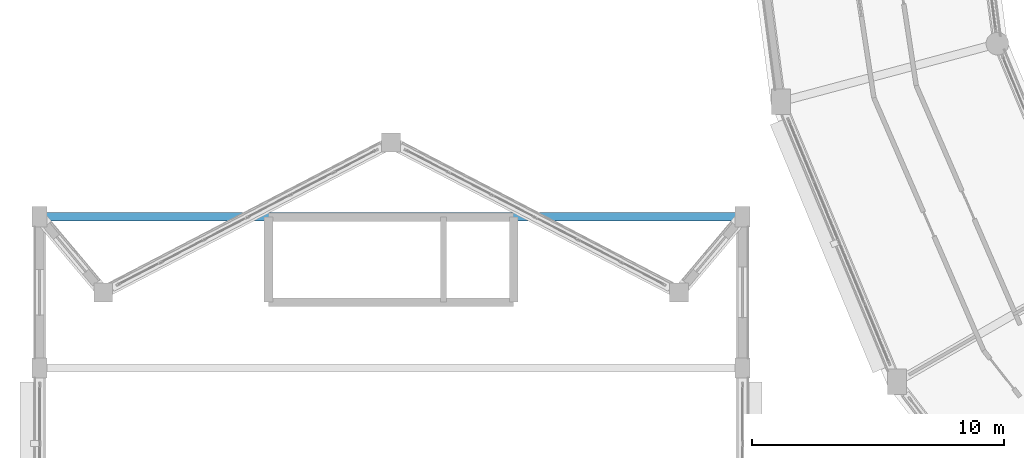
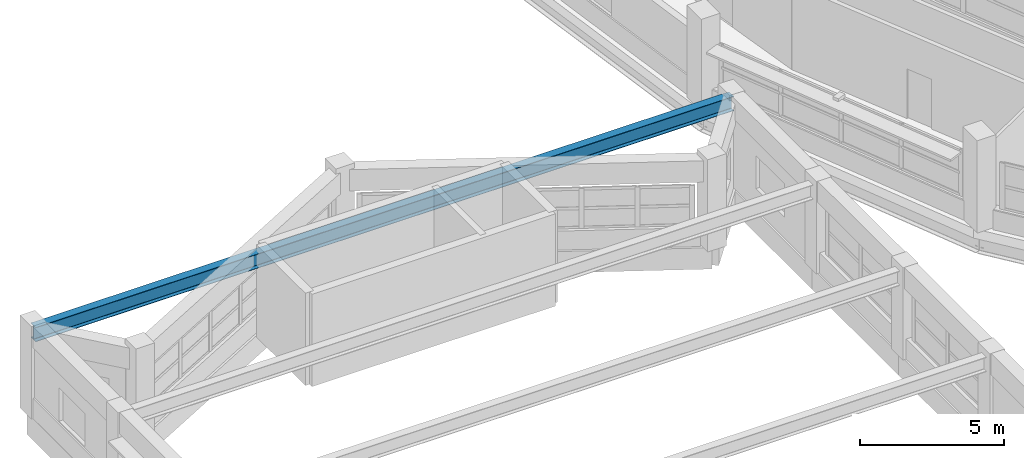
# One storey, part 23 of 108: 1 beam.
"""IFC4 building model written with IfcOpenShell, lengths in metres."""

from ifc_helpers import new_model, si_unit, direction, frame, origin, origin_2d, place, context, subcontext, project, spatial, i_section, extrude, material, material_profile, profile_set, type_object, element, save


model = new_model("IFC4")

# Units and contexts
model_context = context("Model", 3, precision=1e-05, world=origin(), true_north=direction((0.0, 1.0)))
body_context = subcontext(model_context, "Body", "Model", "MODEL_VIEW")
ifc_project = project(units=[si_unit("LENGTHUNIT", "METRE"), si_unit("AREAUNIT", "SQUARE_METRE"), si_unit("VOLUMEUNIT", "CUBIC_METRE"), si_unit("PLANEANGLEUNIT", "RADIAN"), si_unit("MASSUNIT", "GRAM", prefix="KILO")], contexts=[model_context])

# Site, building, storey
site_placement = place(None, origin())
site = spatial("IfcSite", under=ifc_project, at=site_placement, CompositionType="ELEMENT")
building_placement = place(site_placement, origin())
building = spatial("IfcBuilding", under=site, at=building_placement, Name="Vespera Passage Community Centre", CompositionType="ELEMENT")
storey_placement = place(building_placement, frame((0.0, 0.0, 12.60009765625)))
storey = spatial("IfcBuildingStorey", under=building, at=storey_placement, Name="L03", CompositionType="ELEMENT", Elevation=12.60009765625)

# Beam
ifc_material = material(Name="Steel ASTM A992 Grade 50", Category="steel")
ifc_material_profile = material_profile(ifc_material, i_section(OverallWidth=0.323974609375, OverallDepth=0.611083984375, WebThickness=0.0126953125, FlangeThickness=0.01904296875, FilletRadius=0.0126953125, at=origin_2d()), Name="W24X104")
ifc_profile_set = profile_set([ifc_material_profile], Name="Steel ASTM A992 Grade 50")
beam_type = type_object("IfcBeamType", Name="BM-G-W24X104", PredefinedType="BEAM", material=ifc_profile_set)
beam_placement = place(storey_placement, frame((4.050048828125, 49.0, 3.314453125), z_axis=(1.0, 0.0, 0.0), x_axis=(0.0, 1.0, 0.0)))
element("IfcBeam", 1, at=beam_placement, inside=storey, type_object=beam_type, Name="Main Hall Vault Thrust Tie 8", PredefinedType="BEAM", context=body_context, shape_type="SweptSolid", body=[
    extrude(i_section(OverallWidth=0.323974609375, OverallDepth=0.611083984375, WebThickness=0.0126953125, FlangeThickness=0.01904296875, FilletRadius=0.0126953125, at=origin_2d()), origin(), (0.0, 0.0, 1.0), 27.89990234375),
])

save(model, "model.ifc")
